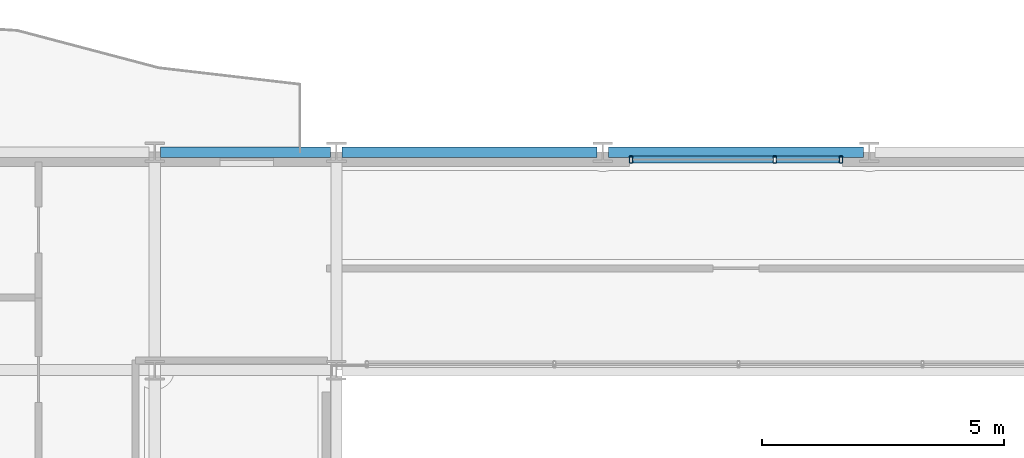
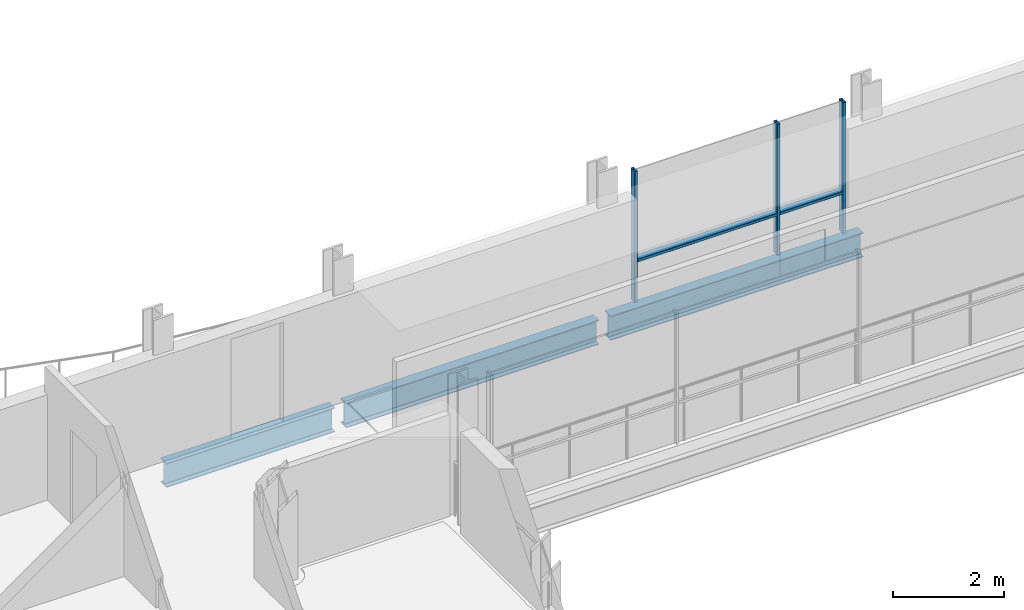
# One storey, part 24 of 41: 5 members, 3 beams, 1 element without a shape of its own.
"""IFC4 building model written with IfcOpenShell, lengths in metres."""

from ifc_helpers import new_model, si_unit, direction, frame, origin, origin_2d, place, context, subcontext, project, spatial, hollow_rectangle, i_section, extrude, material, layer, layer_set, material_profile, profile_set, type_object, element, aggregate, save


model = new_model("IFC4")

# Units and contexts
model_context = context("Model", 3, precision=1e-05, world=origin(), true_north=direction((0.0, 1.0)))
body_context = subcontext(model_context, "Body", "Model", "MODEL_VIEW")
ifc_project = project(units=[si_unit("LENGTHUNIT", "METRE"), si_unit("AREAUNIT", "SQUARE_METRE"), si_unit("VOLUMEUNIT", "CUBIC_METRE"), si_unit("PLANEANGLEUNIT", "RADIAN"), si_unit("MASSUNIT", "GRAM", prefix="KILO")], contexts=[model_context])

# Site, building, storey
site_placement = place(None, origin())
site = spatial("IfcSite", under=ifc_project, at=site_placement, CompositionType="ELEMENT")
building_placement = place(site_placement, origin())
building = spatial("IfcBuilding", under=site, at=building_placement, Name="Brevholm Reach", CompositionType="ELEMENT")
storey_placement = place(building_placement, frame((0.0, 0.0, 138.699951171875)))
storey = spatial("IfcBuildingStorey", under=building, at=storey_placement, Name="L41", CompositionType="ELEMENT", Elevation=138.699951171875)

# Beams
ifc_material_1 = material(Name="Structural Steel S355J2", Category="steel")
ifc_material_profile_1 = material_profile(ifc_material_1, i_section(OverallWidth=0.209228515625, OverallDepth=0.533203125, WebThickness=0.010009765625, FlangeThickness=0.015625, FilletRadius=0.0126953125, at=origin_2d()), Name="UKB 533x210x92")
ifc_profile_set_1 = profile_set([ifc_material_profile_1], Name="Structural Steel S355J2")
beam_type = type_object("IfcBeamType", Name="BM-SP533", PredefinedType="SPANDREL", material=ifc_profile_set_1)
beam_placement = place(storey_placement, frame((18.1201171875, 31.0, -0.486572265625), z_axis=(1.0, 0.0, 0.0), x_axis=(0.0, 1.0, 0.0)))
element("IfcBeam", 1, at=beam_placement, inside=storey, type_object=beam_type, Name="L41 SP-02 Framing Beam", PredefinedType="SPANDREL", context=body_context, shape_type="SweptSolid", body=[
    extrude(i_section(OverallWidth=0.209228515625, OverallDepth=0.533203125, WebThickness=0.010009765625, FlangeThickness=0.015625, FilletRadius=0.0126953125, at=origin_2d()), origin(), (0.0, 0.0, 1.0), 3.509765625),
])
for number, where, z_axis, x_axis, name in (
    (2, (21.8701171875, 31.0, -0.486572265625), (1.0, 0.0, 0.0), (0.0, 1.0, 0.0), "L41 SP-02 Framing Beam"),
    (3, (27.3701171875, 31.0, -0.486572265625), (1.0, 0.0, 0.0), (0.0, 1.0, 0.0), "L41 SP-02 Framing Beam"),
):
    element("IfcBeam", number, at=place(storey_placement, frame(where, z_axis=z_axis, x_axis=x_axis)), inside=storey, type_object=beam_type, Name=name, PredefinedType="SPANDREL", context=body_context, shape_type="SweptSolid", body=[
        extrude(i_section(OverallWidth=0.209228515625, OverallDepth=0.533203125, WebThickness=0.010009765625, FlangeThickness=0.015625, FilletRadius=0.0126953125, at=origin_2d()), origin(), (0.0, 0.0, 1.0), 5.259765625),
    ])

# Curtain wall, members
ifc_material_2 = material(Name="Dark Anodised Aluminium 6063-T6 and Solar-Control Glass", Category="aluminium")
ifc_layer = layer(ifc_material_2, 0.14990234375)
ifc_layer_set = layer_set([ifc_layer], Name="Dark Anodised Aluminium 6063-T6 and Solar-Control Glass")
curtain_wall_type = type_object("IfcCurtainWallType", Name="CW-01", PredefinedType="NOTDEFINED", material=ifc_layer_set)
curtain_wall_placement = place(storey_placement, origin())
curtain_wall = element("IfcCurtainWall", 4, at=curtain_wall_placement, inside=storey, type_object=curtain_wall_type, Name="L41 Curtain Wall CW-01", PredefinedType="NOTDEFINED")
ifc_material_3 = material(Name="Dark Anodised Aluminium 6063-T6", Category="aluminium")
ifc_material_profile_2 = material_profile(ifc_material_3, hollow_rectangle(XDim=0.06494140625, YDim=0.14990234375, WallThickness=0.0048828125, InnerFilletRadius=0.0048828125, OuterFilletRadius=0.010009765625, at=origin_2d()), Name="RHS 150x65x5")
ifc_profile_set_2 = profile_set([ifc_material_profile_2], Name="Dark Anodised Aluminium 6063-T6")
member_type_1 = type_object("IfcMemberType", Name="CWM-150", PredefinedType="MULLION", material=ifc_profile_set_2)
member_1_placement = place(storey_placement, frame((27.83251953125, 30.85009765625, 0.0), z_axis=(0.0, 0.0, 1.0), x_axis=(1.0, 0.0, 0.0)))
member_1 = element("IfcMember", 5, at=member_1_placement, type_object=member_type_1, Name="CM-150 Mullion 1", PredefinedType="MULLION", context=body_context, shape_type="SweptSolid", body=[
    extrude(hollow_rectangle(XDim=0.06494140625, YDim=0.14990234375, WallThickness=0.0048828125, InnerFilletRadius=0.0048828125, OuterFilletRadius=0.010009765625, at=origin_2d()), origin(), (0.0, 0.0, 1.0), 2.880126953125),
])
member_2_placement = place(storey_placement, frame((30.800048828125, 30.85009765625, 0.0), z_axis=(0.0, 0.0, 1.0), x_axis=(1.0, 0.0, 0.0)))
member_2 = element("IfcMember", 6, at=member_2_placement, type_object=member_type_1, Name="CM-150 Mullion 2", PredefinedType="MULLION", context=body_context, shape_type="SweptSolid", body=[
    extrude(hollow_rectangle(XDim=0.06494140625, YDim=0.14990234375, WallThickness=0.0048828125, InnerFilletRadius=0.0048828125, OuterFilletRadius=0.010009765625, at=origin_2d()), origin(), (0.0, 0.0, 1.0), 2.880126953125),
])
member_3_placement = place(storey_placement, frame((32.16748046875, 30.85009765625, 0.0), z_axis=(0.0, 0.0, 1.0), x_axis=(1.0, 0.0, 0.0)))
member_3 = element("IfcMember", 7, at=member_3_placement, type_object=member_type_1, Name="CM-150 Mullion 3", PredefinedType="MULLION", context=body_context, shape_type="SweptSolid", body=[
    extrude(hollow_rectangle(XDim=0.06494140625, YDim=0.14990234375, WallThickness=0.0048828125, InnerFilletRadius=0.0048828125, OuterFilletRadius=0.010009765625, at=origin_2d()), origin(), (0.0, 0.0, 1.0), 2.880126953125),
])
ifc_material_4 = material(Name="Dark Anodised Aluminium 6063-T6", Category="aluminium")
ifc_material_profile_3 = material_profile(ifc_material_4, hollow_rectangle(XDim=0.06494140625, YDim=0.14990234375, WallThickness=0.0048828125, InnerFilletRadius=0.0048828125, OuterFilletRadius=0.010009765625, at=origin_2d()), Name="RHS 150x65x5")
ifc_profile_set_3 = profile_set([ifc_material_profile_3], Name="Dark Anodised Aluminium 6063-T6")
member_type_2 = type_object("IfcMemberType", Name="CWT-150", PredefinedType="NOTDEFINED", material=ifc_profile_set_3)
member_4_placement = place(storey_placement, frame((27.864990234375, 30.85009765625, 0.900146484375), z_axis=(1.0, 0.0, 0.0), x_axis=(0.0, 0.0, 1.0)))
member_4 = element("IfcMember", 8, at=member_4_placement, type_object=member_type_2, Name="CT-150 Transom 1.1", ObjectType="TRANSOM", PredefinedType="USERDEFINED", context=body_context, shape_type="SweptSolid", body=[
    extrude(hollow_rectangle(XDim=0.06494140625, YDim=0.14990234375, WallThickness=0.0048828125, InnerFilletRadius=0.0048828125, OuterFilletRadius=0.010009765625, at=origin_2d()), origin(), (0.0, 0.0, 1.0), 2.902587890625),
])
member_5_placement = place(storey_placement, frame((30.83251953125, 30.85009765625, 0.900146484375), z_axis=(1.0, 0.0, 0.0), x_axis=(0.0, 0.0, 1.0)))
member_5 = element("IfcMember", 9, at=member_5_placement, type_object=member_type_2, Name="CT-150 Transom 2.1", ObjectType="TRANSOM", PredefinedType="USERDEFINED", context=body_context, shape_type="SweptSolid", body=[
    extrude(hollow_rectangle(XDim=0.06494140625, YDim=0.14990234375, WallThickness=0.0048828125, InnerFilletRadius=0.0048828125, OuterFilletRadius=0.010009765625, at=origin_2d()), origin(), (0.0, 0.0, 1.0), 1.302490234375),
])
aggregate(curtain_wall, [member_1, member_2, member_3, member_4, member_5])

save(model, "model.ifc")
